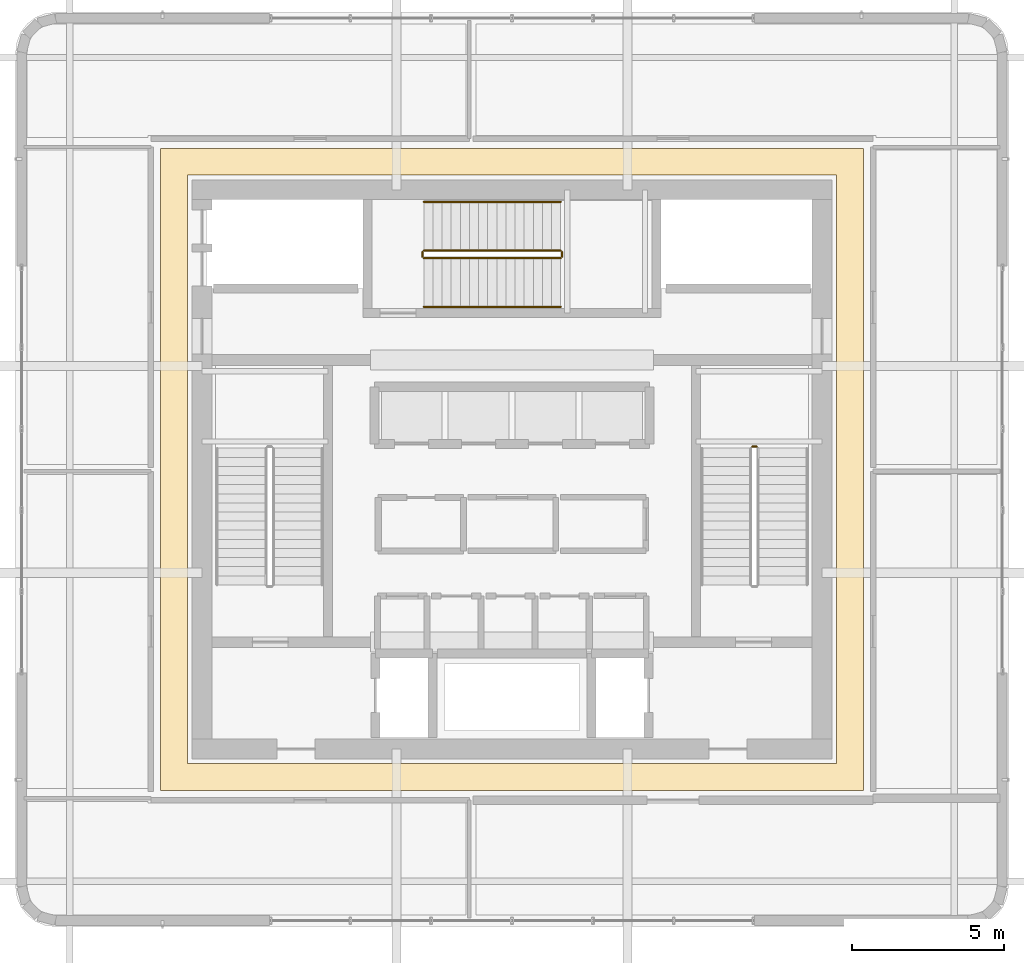
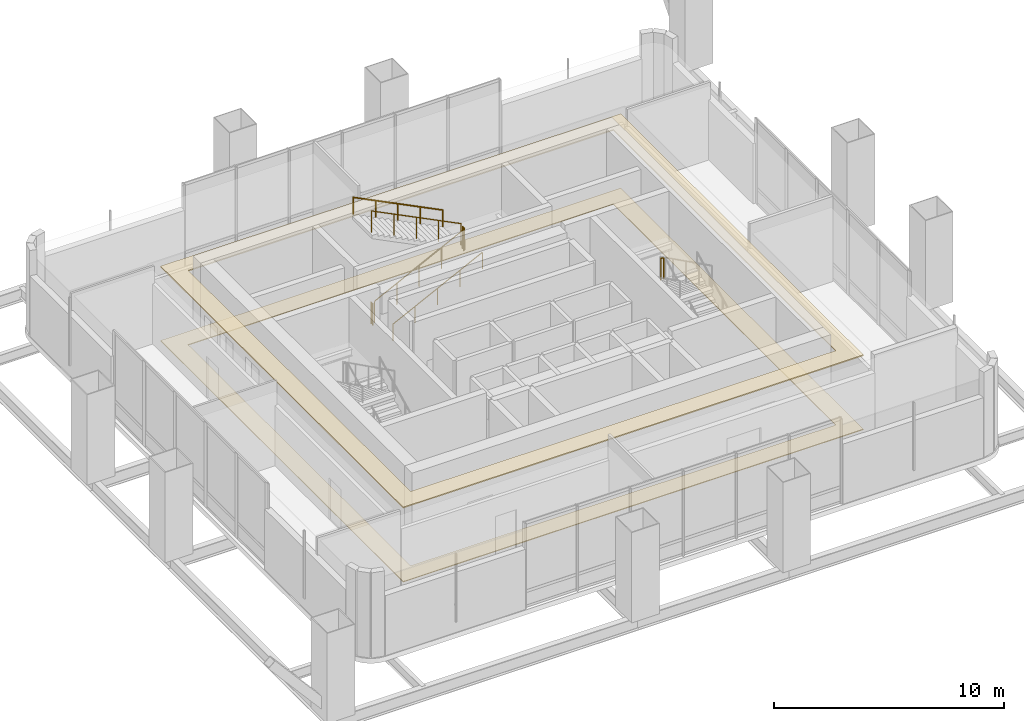
# One storey, part 24 of 30: 7 railings, 2 coverings.
"""IFC4 building model written with IfcOpenShell, lengths in metres."""

from ifc_helpers import new_model, si_unit, direction, frame, origin, origin_2d, place, context, subcontext, project, spatial, polyline, circle, outline, extrude, material, layer, layer_set, type_object, element, save


model = new_model("IFC4")

# Units and contexts
model_context = context("Model", 3, precision=1e-05, world=origin(), true_north=direction((0.0, 1.0)))
body_context = subcontext(model_context, "Body", "Model", "MODEL_VIEW")
ifc_project = project(units=[si_unit("LENGTHUNIT", "METRE"), si_unit("AREAUNIT", "SQUARE_METRE"), si_unit("VOLUMEUNIT", "CUBIC_METRE"), si_unit("PLANEANGLEUNIT", "RADIAN"), si_unit("MASSUNIT", "GRAM", prefix="KILO")], contexts=[model_context])

# Site, building, storey
site_placement = place(None, origin())
site = spatial("IfcSite", under=ifc_project, at=site_placement, CompositionType="ELEMENT")
building_placement = place(site_placement, origin())
building = spatial("IfcBuilding", under=site, at=building_placement, Name="Punatoya Terracotta Tower", CompositionType="ELEMENT")
storey_placement = place(building_placement, frame((0.0, 0.0, 135.0)))
storey = spatial("IfcBuildingStorey", under=building, at=storey_placement, Name="L31", CompositionType="ELEMENT", Elevation=135.0)

# Coverings
ifc_material_1 = material(Name="Acoustic Mineral Fibre Ceiling")
ifc_layer_1 = layer(ifc_material_1, 0.06005859375)
ifc_layer_set_1 = layer_set([ifc_layer_1], Name="Acoustic Mineral Fibre Ceiling")
covering_type_1 = type_object("IfcCoveringType", Name="COV-CEIL-60", PredefinedType="CEILING", material=ifc_layer_set_1)
covering_1_placement = place(storey_placement, frame((0.0, 0.0, 3.929931640625)))
element("IfcCovering", 1, at=covering_1_placement, inside=storey, type_object=covering_type_1, Name="L31 Sky-Lobby Transfer Circulation Corridor Acoustic Ceiling", PredefinedType="CEILING", context=body_context, shape_type="SweptSolid", body=[
    extrude(outline(polyline([(-11.56005859375, 10.56005859375), (-11.56005859375, -10.56005859375), (11.56005859375, -10.56005859375), (11.56005859375, 10.56005859375), (-11.56005859375, 10.56005859375)]), holes=[polyline([(-10.679931640625, 9.679931640625), (10.679931640625, 9.679931640625), (10.679931640625, -9.679931640625), (-10.679931640625, -9.679931640625), (-10.679931640625, 9.679931640625)])]), origin(), (0.0, 0.0, 1.0), 0.06005859375),
])
ifc_material_2 = material(Name="Sandstone & Raised Access Flooring", Category="masonry")
ifc_layer_2 = layer(ifc_material_2, 0.080078125)
ifc_layer_set_2 = layer_set([ifc_layer_2], Name="Sandstone & Raised Access Flooring")
covering_type_2 = type_object("IfcCoveringType", Name="COV-FLR-80", PredefinedType="FLOORING", material=ifc_layer_set_2)
covering_2_placement = place(storey_placement, origin())
element("IfcCovering", 2, at=covering_2_placement, inside=storey, type_object=covering_type_2, Name="L31 Sky-Lobby Transfer Circulation Corridor Stone Floor Finish", PredefinedType="FLOORING", context=body_context, shape_type="SweptSolid", body=[
    extrude(outline(polyline([(-11.56005859375, 10.56005859375), (-11.56005859375, -10.56005859375), (11.56005859375, -10.56005859375), (11.56005859375, 10.56005859375), (-11.56005859375, 10.56005859375)]), holes=[polyline([(-10.679931640625, 9.679931640625), (10.679931640625, 9.679931640625), (10.679931640625, -9.679931640625), (-10.679931640625, -9.679931640625), (-10.679931640625, 9.679931640625)])]), origin(), (0.0, 0.0, 1.0), 0.0400390625),
])

# Railings
ifc_material_3 = material(Name="Steel S355", Category="steel")
railing_type_1 = type_object("IfcRailingType", Name="RLG-GRD-1150", PredefinedType="GUARDRAIL", material=ifc_material_3)
railing_1_placement = place(storey_placement, frame((8.050048828125, 0.75, 2.39990234375)))
element("IfcRailing", 3, at=railing_1_placement, inside=storey, type_object=railing_type_1, Name="L31 ST-2 stair guard 2", PredefinedType="GUARDRAIL", context=body_context, shape_type="SweptSolid", body=[
    extrude(circle(Radius=0.02392578125, at=origin_2d()), frame((0.0, 0.0, 1.1259765625), z_axis=(-1.0, 0.0, 0.0), x_axis=(0.0, -1.0, 0.0)), (0.0, 0.0, 1.0), 0.150146484375),
    extrude(circle(Radius=0.02099609375, at=origin_2d()), origin(), (0.0, 0.0, 1.0), 1.101806640625),
    extrude(circle(Radius=0.02099609375, at=origin_2d()), frame((-0.150146484375, 0.0, 0.0)), (0.0, 0.0, 1.0), 1.101806640625),
])
railing_2_placement = place(storey_placement, frame((-2.89990234375, 6.949951171875, 0.14990234375)))
element("IfcRailing", 4, at=railing_2_placement, inside=storey, type_object=railing_type_1, Name="L31 ST-3 stair guard 1", PredefinedType="GUARDRAIL", context=body_context, shape_type="SweptSolid", body=[
    extrude(circle(Radius=0.02392578125, at=origin_2d()), frame((0.0, 0.0, 1.1259765625), z_axis=(0.894427191, 0.0, 0.4472135955), x_axis=(0.0, 1.0, 0.0)), (0.0, 0.0, 1.0), 5.03125),
    extrude(circle(Radius=0.02099609375, at=origin_2d()), origin(), (0.0, 0.0, 1.0), 1.101806640625),
    extrude(circle(Radius=0.02099609375, at=origin_2d()), frame((1.125, 0.0, 0.5625)), (0.0, 0.0, 1.0), 1.101806640625),
    extrude(circle(Radius=0.02099609375, at=origin_2d()), frame((2.25, 0.0, 1.125)), (0.0, 0.0, 1.0), 1.101806640625),
    extrude(circle(Radius=0.02099609375, at=origin_2d()), frame((3.375, 0.0, 1.6875)), (0.0, 0.0, 1.0), 1.101806640625),
    extrude(circle(Radius=0.02099609375, at=origin_2d()), frame((4.5, 0.0, 2.25)), (0.0, 0.0, 1.0), 1.101806640625),
])
railing_3_placement = place(storey_placement, frame((1.64990234375, 7.0, 2.39990234375)))
element("IfcRailing", 5, at=railing_3_placement, inside=storey, type_object=railing_type_1, Name="L31 ST-3 stair guard 2", PredefinedType="GUARDRAIL", context=body_context, shape_type="SweptSolid", body=[
    extrude(circle(Radius=0.02392578125, at=origin_2d()), frame((0.0, 0.0, 1.1259765625), z_axis=(0.0, 1.0, 0.0), x_axis=(-1.0, 0.0, 0.0)), (0.0, 0.0, 1.0), 0.14990234375),
    extrude(circle(Radius=0.02099609375, at=origin_2d()), origin(), (0.0, 0.0, 1.0), 1.101806640625),
    extrude(circle(Radius=0.02099609375, at=origin_2d()), frame((0.0, 0.14990234375, 0.0)), (0.0, 0.0, 1.0), 1.101806640625),
])
railing_4_placement = place(storey_placement, frame((1.60009765625, 7.199951171875, 2.550048828125)))
element("IfcRailing", 6, at=railing_4_placement, inside=storey, type_object=railing_type_1, Name="L31 ST-3 stair guard 3", PredefinedType="GUARDRAIL", context=body_context, shape_type="SweptSolid", body=[
    extrude(circle(Radius=0.02392578125, at=origin_2d()), frame((0.0, 0.0, 1.1259765625), z_axis=(-0.894427191, 0.0, 0.4472135955), x_axis=(0.0, -1.0, 0.0)), (0.0, 0.0, 1.0), 5.03125),
    extrude(circle(Radius=0.02099609375, at=origin_2d()), origin(), (0.0, 0.0, 1.0), 1.101806640625),
    extrude(circle(Radius=0.02099609375, at=origin_2d()), frame((-1.125, 0.0, 0.5625)), (0.0, 0.0, 1.0), 1.101806640625),
    extrude(circle(Radius=0.02099609375, at=origin_2d()), frame((-2.25, 0.0, 1.125)), (0.0, 0.0, 1.0), 1.101806640625),
    extrude(circle(Radius=0.02099609375, at=origin_2d()), frame((-3.375, 0.0, 1.6875)), (0.0, 0.0, 1.0), 1.101806640625),
    extrude(circle(Radius=0.02099609375, at=origin_2d()), frame((-4.5, 0.0, 2.25)), (0.0, 0.0, 1.0), 1.101806640625),
])
railing_5_placement = place(storey_placement, frame((-2.949951171875, 7.0, 0.0)))
element("IfcRailing", 7, at=railing_5_placement, inside=storey, type_object=railing_type_1, Name="L31 ST-3 stair guard 4", PredefinedType="GUARDRAIL", context=body_context, shape_type="SweptSolid", body=[
    extrude(circle(Radius=0.02392578125, at=origin_2d()), frame((0.0, 0.0, 1.1259765625), z_axis=(0.0, 1.0, 0.0), x_axis=(-1.0, 0.0, 0.0)), (0.0, 0.0, 1.0), 0.14990234375),
    extrude(circle(Radius=0.02099609375, at=origin_2d()), origin(), (0.0, 0.0, 1.0), 1.101806640625),
    extrude(circle(Radius=0.02099609375, at=origin_2d()), frame((0.0, 0.14990234375, 0.0)), (0.0, 0.0, 1.0), 1.101806640625),
])
railing_type_2 = type_object("IfcRailingType", Name="RLG-HND-900", PredefinedType="HANDRAIL", material=ifc_material_3)
railing_6_placement = place(storey_placement, frame((-2.89990234375, 5.35009765625, 0.14990234375)))
element("IfcRailing", 8, at=railing_6_placement, inside=storey, type_object=railing_type_2, Name="L31 ST-3 stair handrail 1", PredefinedType="HANDRAIL", context=body_context, shape_type="SweptSolid", body=[
    extrude(circle(Radius=0.02392578125, at=origin_2d()), frame((0.0, 0.0, 0.8759765625), z_axis=(0.894427191, 0.0, 0.4472135955), x_axis=(0.0, 1.0, 0.0)), (0.0, 0.0, 1.0), 5.03125),
    extrude(circle(Radius=0.02099609375, at=origin_2d()), origin(), (0.0, 0.0, 1.0), 0.851806640625),
    extrude(circle(Radius=0.02099609375, at=origin_2d()), frame((1.125, 0.0, 0.5625)), (0.0, 0.0, 1.0), 0.851806640625),
    extrude(circle(Radius=0.02099609375, at=origin_2d()), frame((2.25, 0.0, 1.125)), (0.0, 0.0, 1.0), 0.851806640625),
    extrude(circle(Radius=0.02099609375, at=origin_2d()), frame((3.375, 0.0, 1.6875)), (0.0, 0.0, 1.0), 0.851806640625),
    extrude(circle(Radius=0.02099609375, at=origin_2d()), frame((4.5, 0.0, 2.25)), (0.0, 0.0, 1.0), 0.851806640625),
])
railing_7_placement = place(storey_placement, frame((1.60009765625, 8.800048828125, 2.550048828125)))
element("IfcRailing", 9, at=railing_7_placement, inside=storey, type_object=railing_type_2, Name="L31 ST-3 stair handrail 2", PredefinedType="HANDRAIL", context=body_context, shape_type="SweptSolid", body=[
    extrude(circle(Radius=0.02392578125, at=origin_2d()), frame((0.0, 0.0, 0.8759765625), z_axis=(-0.894427191, 0.0, 0.4472135955), x_axis=(0.0, -1.0, 0.0)), (0.0, 0.0, 1.0), 5.03125),
    extrude(circle(Radius=0.02099609375, at=origin_2d()), origin(), (0.0, 0.0, 1.0), 0.851806640625),
    extrude(circle(Radius=0.02099609375, at=origin_2d()), frame((-1.125, 0.0, 0.5625)), (0.0, 0.0, 1.0), 0.851806640625),
    extrude(circle(Radius=0.02099609375, at=origin_2d()), frame((-2.25, 0.0, 1.125)), (0.0, 0.0, 1.0), 0.851806640625),
    extrude(circle(Radius=0.02099609375, at=origin_2d()), frame((-3.375, 0.0, 1.6875)), (0.0, 0.0, 1.0), 0.851806640625),
    extrude(circle(Radius=0.02099609375, at=origin_2d()), frame((-4.5, 0.0, 2.25)), (0.0, 0.0, 1.0), 0.851806640625),
])

save(model, "model.ifc")
